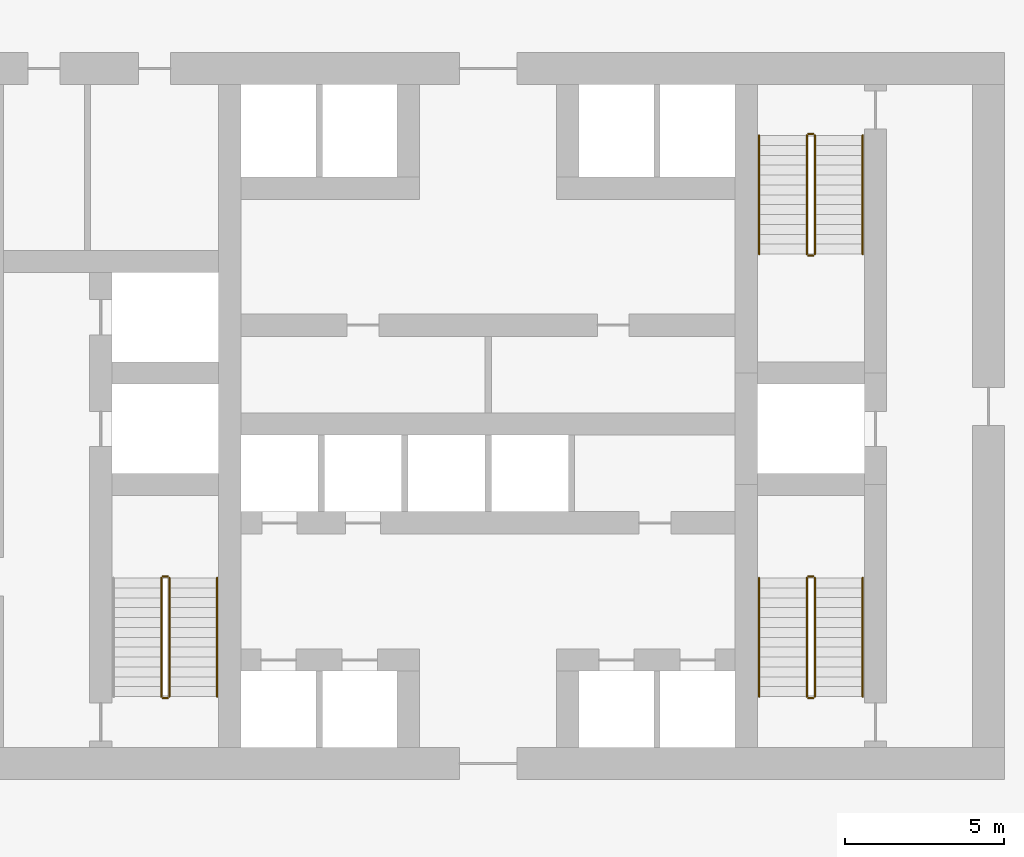
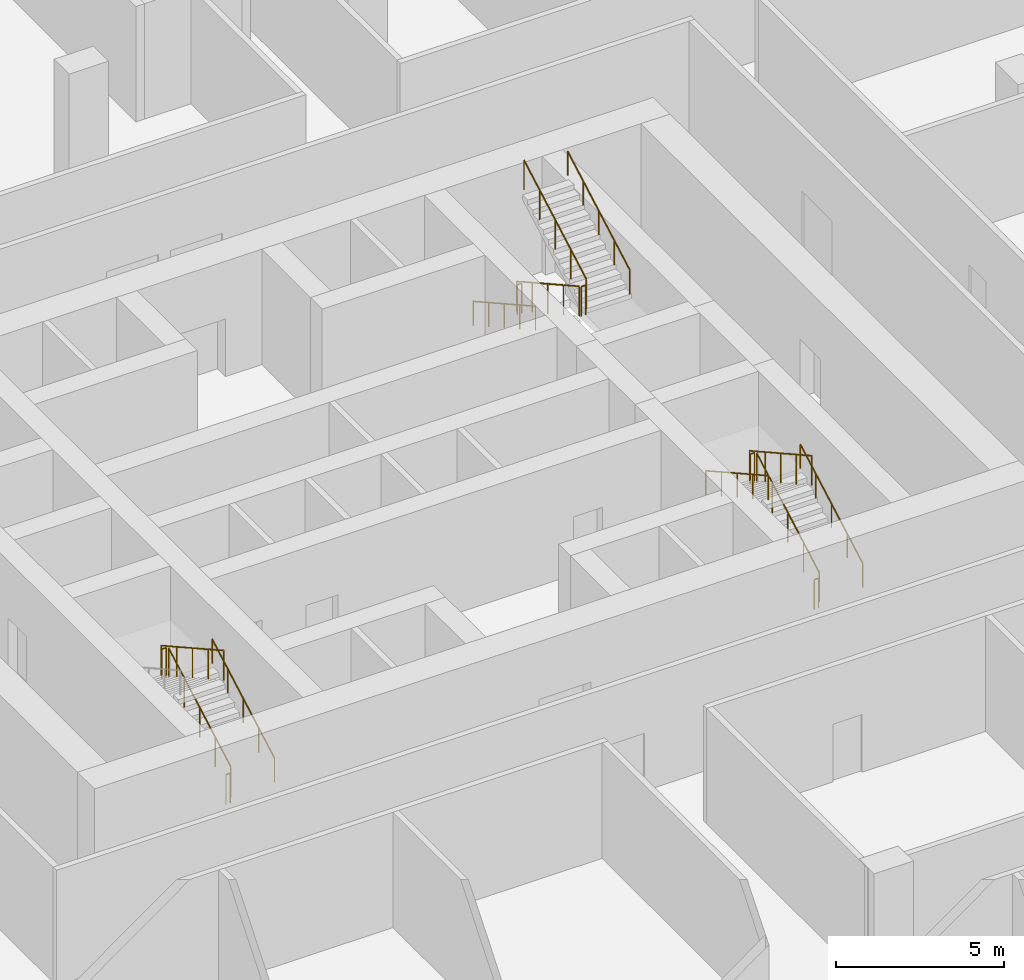
# One storey, part 35 of 38: 17 railings.
"""IFC4 building model written with IfcOpenShell, lengths in metres."""

import ifcopenshell
import ifcopenshell.guid

model = None  # the IFC model being written
_history = None  # IfcOwnerHistory: only IFC2X3 demands one
_inside = {}  # id of a spatial element -> (the spatial element, [elements in it])
_under = {}  # id of a project, library or spatial element -> (it, [spatial elements below it])
_declared = {}  # id of a project -> (the project, [libraries it declares])
_typed = {}  # id of a type object -> (the type object, [elements of that type])
_made_of = {}  # id of a material, layer set ... -> (it, [elements and type objects made of it])


def new_model(schema):
    """Start an empty IFC model of exactly this schema.

    Asked for "IFC4X3", IfcOpenShell would pick the latest addendum, in which some entities
    have other attributes; the version numbers below select the first issue.
    IFC2X3 requires an IfcOwnerHistory on every rooted entity: one is made here for all.
    """
    global model, _history
    if schema == "IFC4X3":
        model = ifcopenshell.file(schema_version=(4, 3, 0, 0))
    else:
        model = ifcopenshell.file(schema=schema)
    _inside.clear()
    _under.clear()
    _declared.clear()
    _typed.clear()
    _made_of.clear()
    _history = None
    if model.schema == "IFC2X3":
        org = make("IfcOrganization", Name="unknown")
        user = make(
            "IfcPersonAndOrganization",
            ThePerson=make("IfcPerson", FamilyName="unknown"),
            TheOrganization=org,
        )
        app = make(
            "IfcApplication",
            ApplicationDeveloper=org,
            Version="unknown",
            ApplicationFullName="unknown",
            ApplicationIdentifier="unknown",
        )
        _history = make(
            "IfcOwnerHistory",
            OwningUser=user,
            OwningApplication=app,
            ChangeAction="ADDED",
            CreationDate=0,
        )
    return model


def make(cls, **values):
    """One entity of the class cls with the attributes given. An attribute that is None is left unset."""
    return model.create_entity(
        cls, **{name: value for name, value in values.items() if value is not None}
    )


def rooted(cls, **values):
    """An entity with a GlobalId (a new one), such as an element, a storey or a relation."""
    return make(cls, GlobalId=ifcopenshell.guid.new(), OwnerHistory=_history, **values)


def si_unit(unit_type, name, prefix=None):
    """IfcSIUnit, for example si_unit("LENGTHUNIT", "METRE", prefix="MILLI")."""
    return make("IfcSIUnit", UnitType=unit_type, Prefix=prefix, Name=name)


def assignment(units):
    """IfcUnitAssignment: the units of a project."""
    return None if units is None else make("IfcUnitAssignment", Units=units)


def point(xyz):
    """IfcCartesianPoint."""
    return None if xyz is None else make("IfcCartesianPoint", Coordinates=xyz)


def direction(xyz):
    """IfcDirection."""
    return None if xyz is None else make("IfcDirection", DirectionRatios=xyz)


def frame(location, z_axis=None, x_axis=None):
    """IfcAxis2Placement3D, a coordinate frame: its origin and axes. An axis left out is left unset."""
    return make(
        "IfcAxis2Placement3D",
        Location=point(location),
        Axis=direction(z_axis),
        RefDirection=direction(x_axis),
    )


def frame_2d(location, x_axis=None):
    """IfcAxis2Placement2D, a coordinate frame in the plane: its origin and x axis."""
    return make(
        "IfcAxis2Placement2D", Location=point(location), RefDirection=direction(x_axis)
    )


def origin():
    """The frame at (0, 0, 0) with its axes left unset."""
    return frame((0.0, 0.0, 0.0))


def origin_2d():
    """The frame at (0, 0) in the plane with its x axis left unset."""
    return frame_2d((0.0, 0.0))


def place(relative_to, where):
    """IfcLocalPlacement: puts the frame where relative to a parent placement (None: the world)."""
    return make(
        "IfcLocalPlacement", PlacementRelTo=relative_to, RelativePlacement=where
    )


def context(
    kind, dimensions, precision=None, world=None, true_north=None, identifier=None
):
    """IfcGeometricRepresentationContext, for example the 3D "Model" context."""
    return make(
        "IfcGeometricRepresentationContext",
        ContextIdentifier=identifier,
        ContextType=kind,
        CoordinateSpaceDimension=dimensions,
        Precision=precision,
        WorldCoordinateSystem=world,
        TrueNorth=true_north,
    )


def subcontext(parent, identifier, kind, view, scale=None):
    """IfcGeometricRepresentationSubContext, for example "Body" below "Model"."""
    return make(
        "IfcGeometricRepresentationSubContext",
        ContextIdentifier=identifier,
        ContextType=kind,
        ParentContext=parent,
        TargetScale=scale,
        TargetView=view,
    )


def project(units=None, contexts=None):
    """IfcProject with its units and contexts."""
    return rooted(
        "IfcProject",
        Name="project",
        RepresentationContexts=contexts,
        UnitsInContext=assignment(units),
    )


def spatial(cls, under=None, at=None, **own):
    """A site, building, storey or space (cls), placed at a placement, below another one or the project."""
    s = rooted(cls, ObjectPlacement=at, **own)
    if under is not None:
        _under.setdefault(under.id(), (under, []))[1].append(s)
    return s


def profile(cls, at=None, kind="AREA", **sizes):
    """A parametric profile (cls). Its sizes go by their IFC names, for example OverallWidth=200.0."""
    return make(cls, ProfileType=kind, Position=at, **sizes)


def circle(**sizes):
    """IfcCircleProfileDef."""
    return profile("IfcCircleProfileDef", **sizes)


def extrude(swept, where, along, depth):
    """IfcExtrudedAreaSolid: the profile swept, set in the frame where, extruded along a direction by depth."""
    return make(
        "IfcExtrudedAreaSolid",
        SweptArea=swept,
        Position=where,
        ExtrudedDirection=direction(along),
        Depth=depth,
    )


def shape(context_of_items, identifier, shape_type, items):
    """IfcShapeRepresentation: the items that make up one representation, for example the "Body"."""
    return make(
        "IfcShapeRepresentation",
        ContextOfItems=context_of_items,
        RepresentationIdentifier=identifier,
        RepresentationType=shape_type,
        Items=items,
    )


def material(Name=None, Category=None):
    """IfcMaterial."""
    return make("IfcMaterial", Name=Name, Category=Category)


def made_of(thing, what):
    """Note that an element or type object is made of a material, layer set ...; save() writes the relation."""
    if what is not None:
        _made_of.setdefault(what.id(), (what, []))[1].append(thing)
    return thing


def type_object(cls, material=None, **own):
    """A type object (cls), such as IfcWallType, which elements share."""
    return made_of(rooted(cls, **own), material)


def element(
    cls,
    number,
    at=None,
    inside=None,
    cuts=None,
    type_object=None,
    material=None,
    context=None,
    identifier="Body",
    shape_type=None,
    held_by="IfcProductDefinitionShape",
    body=None,
    shapes=None,
    **own,
):
    """One element of the class cls, such as IfcWall. Its Tag is "e" and its number.

    at: its placement. inside: the storey or other place that contains it. cuts: it is an
    opening in that element (IfcRelVoidsElement). A single representation is given by context,
    identifier, shape_type and body (its items); several are given by shapes. held_by: the class
    of the entity that holds the representations. save() writes the other relations.
    """
    e = rooted(cls, Tag="e%d" % number, ObjectPlacement=at, **own)
    if body is not None:
        shapes = [shape(context, identifier, shape_type, body)]
    if shapes is not None:
        e.Representation = make(held_by, Representations=shapes)
    if inside is not None:
        _inside.setdefault(inside.id(), (inside, []))[1].append(e)
    if cuts is not None:
        rooted(
            "IfcRelVoidsElement", RelatingBuildingElement=cuts, RelatedOpeningElement=e
        )
    if type_object is not None:
        _typed.setdefault(type_object.id(), (type_object, []))[1].append(e)
    return made_of(e, material)


def aggregate(whole, parts):
    """IfcRelAggregates: a whole, such as a stair, and the parts it consists of."""
    return rooted("IfcRelAggregates", RelatingObject=whole, RelatedObjects=parts)


def save(model, path):
    """Write the relations noted so far, then the file.

    IfcRelAggregates (storeys below a building ...), IfcRelContainedInSpatialStructure (elements
    in a storey), IfcRelDefinesByType, IfcRelAssociatesMaterial and IfcRelDeclares: one each for
    every whole, place, type object, material and project.
    """
    for whole, parts in _under.values():
        aggregate(whole, parts)
    for where, things in _inside.values():
        rooted(
            "IfcRelContainedInSpatialStructure",
            RelatedElements=things,
            RelatingStructure=where,
        )
    for kind, things in _typed.values():
        rooted("IfcRelDefinesByType", RelatedObjects=things, RelatingType=kind)
    for what, things in _made_of.values():
        rooted("IfcRelAssociatesMaterial", RelatedObjects=things, RelatingMaterial=what)
    for by, libraries in _declared.values():
        rooted("IfcRelDeclares", RelatingContext=by, RelatedDefinitions=libraries)
    model.write(path)


model = new_model("IFC4")

# Units and contexts
model_context = context("Model", 3, precision=1e-05, world=origin(), true_north=direction((0.0, 1.0)))
body_context = subcontext(model_context, "Body", "Model", "MODEL_VIEW")
ifc_project = project(units=[si_unit("LENGTHUNIT", "METRE"), si_unit("AREAUNIT", "SQUARE_METRE"), si_unit("VOLUMEUNIT", "CUBIC_METRE"), si_unit("PLANEANGLEUNIT", "RADIAN"), si_unit("MASSUNIT", "GRAM", prefix="KILO")], contexts=[model_context])

# Site, building, storey
site_placement = place(None, origin())
site = spatial("IfcSite", under=ifc_project, at=site_placement, CompositionType="ELEMENT")
building_placement = place(site_placement, origin())
building = spatial("IfcBuilding", under=site, at=building_placement, Name="Madar Terraces", CompositionType="ELEMENT")
storey_placement = place(building_placement, frame((0.0, 0.0, 15.0)))
storey = spatial("IfcBuildingStorey", under=building, at=storey_placement, Name="L03", CompositionType="ELEMENT", Elevation=15.0)

# Railings
ifc_material_1 = material(Name="Stainless steel railing", Category="steel")
railing_type_1 = type_object("IfcRailingType", Name="Stair guard 1100", PredefinedType="GUARDRAIL", material=ifc_material_1)
railing_1_placement = place(storey_placement, frame((21.199951171875, 17.60009765625, 0.173095703125)))
element("IfcRailing", 1, at=railing_1_placement, inside=storey, type_object=railing_type_1, Name="L03 ST1 stair guard 1", PredefinedType="GUARDRAIL", context=body_context, shape_type="SweptSolid", body=[
    extrude(circle(Radius=0.02392578125, at=origin_2d()), frame((0.0, 0.0, 1.076171875), z_axis=(0.0, 0.873133609054, 0.487480974747), x_axis=(-1.0, 0.0, 0.0)), (0.0, 0.0, 1.0), 4.260498046875),
    extrude(circle(Radius=0.02099609375, at=origin_2d()), origin(), (0.0, 0.0, 1.0), 1.052001953125),
    extrude(circle(Radius=0.02099609375, at=origin_2d()), frame((0.0, 0.929931640625, 0.519287109375)), (0.0, 0.0, 1.0), 1.052001953125),
    extrude(circle(Radius=0.02099609375, at=origin_2d()), frame((0.0, 1.85986328125, 1.03857421875)), (0.0, 0.0, 1.0), 1.052001953125),
    extrude(circle(Radius=0.02099609375, at=origin_2d()), frame((0.0, 2.7900390625, 1.5576171875)), (0.0, 0.0, 1.0), 1.052001953125),
    extrude(circle(Radius=0.02099609375, at=origin_2d()), frame((0.0, 3.719970703125, 2.076904296875)), (0.0, 0.0, 1.0), 1.052001953125),
])
railing_2_placement = place(storey_placement, frame((21.14990234375, 21.3701171875, 2.25)))
element("IfcRailing", 2, at=railing_2_placement, inside=storey, type_object=railing_type_1, Name="L03 ST1 stair guard 2", PredefinedType="GUARDRAIL", context=body_context, shape_type="SweptSolid", body=[
    extrude(circle(Radius=0.02392578125, at=origin_2d()), frame((0.0, 0.0, 1.076171875), z_axis=(-1.0, 0.0, 0.0), x_axis=(0.0, -1.0, 0.0)), (0.0, 0.0, 1.0), 0.14990234375),
    extrude(circle(Radius=0.02099609375, at=origin_2d()), origin(), (0.0, 0.0, 1.0), 1.052001953125),
    extrude(circle(Radius=0.02099609375, at=origin_2d()), frame((-0.14990234375, 0.0, 0.0)), (0.0, 0.0, 1.0), 1.052001953125),
])
railing_3_placement = place(storey_placement, frame((20.949951171875, 21.320068359375, 2.423095703125)))
element("IfcRailing", 3, at=railing_3_placement, inside=storey, type_object=railing_type_1, Name="L03 ST1 stair guard 3", PredefinedType="GUARDRAIL", context=body_context, shape_type="SweptSolid", body=[
    extrude(circle(Radius=0.02392578125, at=origin_2d()), frame((0.0, 0.0, 1.076171875), z_axis=(0.0, -0.873133609054, 0.487480974747), x_axis=(1.0, 0.0, 0.0)), (0.0, 0.0, 1.0), 4.260498046875),
    extrude(circle(Radius=0.02099609375, at=origin_2d()), origin(), (0.0, 0.0, 1.0), 1.052001953125),
    extrude(circle(Radius=0.02099609375, at=origin_2d()), frame((0.0, -0.929931640625, 0.519287109375)), (0.0, 0.0, 1.0), 1.052001953125),
    extrude(circle(Radius=0.02099609375, at=origin_2d()), frame((0.0, -1.85986328125, 1.03857421875)), (0.0, 0.0, 1.0), 1.052001953125),
    extrude(circle(Radius=0.02099609375, at=origin_2d()), frame((0.0, -2.7900390625, 1.5576171875)), (0.0, 0.0, 1.0), 1.052001953125),
    extrude(circle(Radius=0.02099609375, at=origin_2d()), frame((0.0, -3.719970703125, 2.076904296875)), (0.0, 0.0, 1.0), 1.052001953125),
])
railing_4_placement = place(storey_placement, frame((21.14990234375, 17.550048828125, 0.0)))
element("IfcRailing", 4, at=railing_4_placement, inside=storey, type_object=railing_type_1, Name="L03 ST1 stair guard 4", PredefinedType="GUARDRAIL", context=body_context, shape_type="SweptSolid", body=[
    extrude(circle(Radius=0.02392578125, at=origin_2d()), frame((0.0, 0.0, 1.076171875), z_axis=(-1.0, 0.0, 0.0), x_axis=(0.0, -1.0, 0.0)), (0.0, 0.0, 1.0), 0.14990234375),
    extrude(circle(Radius=0.02099609375, at=origin_2d()), origin(), (0.0, 0.0, 1.0), 1.052001953125),
    extrude(circle(Radius=0.02099609375, at=origin_2d()), frame((-0.14990234375, 0.0, 0.0)), (0.0, 0.0, 1.0), 1.052001953125),
])
railing_5_placement = place(storey_placement, frame((41.199951171875, 35.199951171875, 0.173095703125)))
element("IfcRailing", 5, at=railing_5_placement, inside=storey, type_object=railing_type_1, Name="L03 ST2 stair guard 1", PredefinedType="GUARDRAIL", context=body_context, shape_type="SweptSolid", body=[
    extrude(circle(Radius=0.02392578125, at=origin_2d()), frame((0.0, 0.0, 1.076171875), z_axis=(0.0, -0.873133609054, 0.487480974747), x_axis=(1.0, 0.0, 0.0)), (0.0, 0.0, 1.0), 4.260498046875),
    extrude(circle(Radius=0.02099609375, at=origin_2d()), origin(), (0.0, 0.0, 1.0), 1.052001953125),
    extrude(circle(Radius=0.02099609375, at=origin_2d()), frame((0.0, -0.929931640625, 0.519287109375)), (0.0, 0.0, 1.0), 1.052001953125),
    extrude(circle(Radius=0.02099609375, at=origin_2d()), frame((0.0, -1.85986328125, 1.03857421875)), (0.0, 0.0, 1.0), 1.052001953125),
    extrude(circle(Radius=0.02099609375, at=origin_2d()), frame((0.0, -2.7900390625, 1.5576171875)), (0.0, 0.0, 1.0), 1.052001953125),
    extrude(circle(Radius=0.02099609375, at=origin_2d()), frame((0.0, -3.719970703125, 2.076904296875)), (0.0, 0.0, 1.0), 1.052001953125),
])
railing_6_placement = place(storey_placement, frame((41.25, 31.429931640625, 2.25)))
element("IfcRailing", 6, at=railing_6_placement, inside=storey, type_object=railing_type_1, Name="L03 ST2 stair guard 2", PredefinedType="GUARDRAIL", context=body_context, shape_type="SweptSolid", body=[
    extrude(circle(Radius=0.02392578125, at=origin_2d()), frame((0.0, 0.0, 1.076171875), z_axis=(1.0, 0.0, 0.0), x_axis=(0.0, 1.0, 0.0)), (0.0, 0.0, 1.0), 0.14990234375),
    extrude(circle(Radius=0.02099609375, at=origin_2d()), origin(), (0.0, 0.0, 1.0), 1.052001953125),
    extrude(circle(Radius=0.02099609375, at=origin_2d()), frame((0.14990234375, 0.0, 0.0)), (0.0, 0.0, 1.0), 1.052001953125),
])
railing_7_placement = place(storey_placement, frame((41.449951171875, 31.47998046875, 2.423095703125)))
element("IfcRailing", 7, at=railing_7_placement, inside=storey, type_object=railing_type_1, Name="L03 ST2 stair guard 3", PredefinedType="GUARDRAIL", context=body_context, shape_type="SweptSolid", body=[
    extrude(circle(Radius=0.02392578125, at=origin_2d()), frame((0.0, 0.0, 1.076171875), z_axis=(0.0, 0.873133609054, 0.487480974747), x_axis=(-1.0, 0.0, 0.0)), (0.0, 0.0, 1.0), 4.260498046875),
    extrude(circle(Radius=0.02099609375, at=origin_2d()), origin(), (0.0, 0.0, 1.0), 1.052001953125),
    extrude(circle(Radius=0.02099609375, at=origin_2d()), frame((0.0, 0.929931640625, 0.519287109375)), (0.0, 0.0, 1.0), 1.052001953125),
    extrude(circle(Radius=0.02099609375, at=origin_2d()), frame((0.0, 1.85986328125, 1.03857421875)), (0.0, 0.0, 1.0), 1.052001953125),
    extrude(circle(Radius=0.02099609375, at=origin_2d()), frame((0.0, 2.7900390625, 1.5576171875)), (0.0, 0.0, 1.0), 1.052001953125),
    extrude(circle(Radius=0.02099609375, at=origin_2d()), frame((0.0, 3.719970703125, 2.076904296875)), (0.0, 0.0, 1.0), 1.052001953125),
])
railing_8_placement = place(storey_placement, frame((41.25, 35.25, 0.0)))
element("IfcRailing", 8, at=railing_8_placement, inside=storey, type_object=railing_type_1, Name="L03 ST2 stair guard 4", PredefinedType="GUARDRAIL", context=body_context, shape_type="SweptSolid", body=[
    extrude(circle(Radius=0.02392578125, at=origin_2d()), frame((0.0, 0.0, 1.076171875), z_axis=(1.0, 0.0, 0.0), x_axis=(0.0, 1.0, 0.0)), (0.0, 0.0, 1.0), 0.14990234375),
    extrude(circle(Radius=0.02099609375, at=origin_2d()), origin(), (0.0, 0.0, 1.0), 1.052001953125),
    extrude(circle(Radius=0.02099609375, at=origin_2d()), frame((0.14990234375, 0.0, 0.0)), (0.0, 0.0, 1.0), 1.052001953125),
])
railing_9_placement = place(storey_placement, frame((41.449951171875, 17.60009765625, 0.173095703125)))
element("IfcRailing", 9, at=railing_9_placement, inside=storey, type_object=railing_type_1, Name="L03 ST3 stair guard 1", PredefinedType="GUARDRAIL", context=body_context, shape_type="SweptSolid", body=[
    extrude(circle(Radius=0.02392578125, at=origin_2d()), frame((0.0, 0.0, 1.076171875), z_axis=(0.0, 0.873133609054, 0.487480974747), x_axis=(-1.0, 0.0, 0.0)), (0.0, 0.0, 1.0), 4.260498046875),
    extrude(circle(Radius=0.02099609375, at=origin_2d()), origin(), (0.0, 0.0, 1.0), 1.052001953125),
    extrude(circle(Radius=0.02099609375, at=origin_2d()), frame((0.0, 0.929931640625, 0.519287109375)), (0.0, 0.0, 1.0), 1.052001953125),
    extrude(circle(Radius=0.02099609375, at=origin_2d()), frame((0.0, 1.85986328125, 1.03857421875)), (0.0, 0.0, 1.0), 1.052001953125),
    extrude(circle(Radius=0.02099609375, at=origin_2d()), frame((0.0, 2.7900390625, 1.5576171875)), (0.0, 0.0, 1.0), 1.052001953125),
    extrude(circle(Radius=0.02099609375, at=origin_2d()), frame((0.0, 3.719970703125, 2.076904296875)), (0.0, 0.0, 1.0), 1.052001953125),
])
railing_10_placement = place(storey_placement, frame((41.39990234375, 21.3701171875, 2.25)))
element("IfcRailing", 10, at=railing_10_placement, inside=storey, type_object=railing_type_1, Name="L03 ST3 stair guard 2", PredefinedType="GUARDRAIL", context=body_context, shape_type="SweptSolid", body=[
    extrude(circle(Radius=0.02392578125, at=origin_2d()), frame((0.0, 0.0, 1.076171875), z_axis=(-1.0, 0.0, 0.0), x_axis=(0.0, -1.0, 0.0)), (0.0, 0.0, 1.0), 0.14990234375),
    extrude(circle(Radius=0.02099609375, at=origin_2d()), origin(), (0.0, 0.0, 1.0), 1.052001953125),
    extrude(circle(Radius=0.02099609375, at=origin_2d()), frame((-0.14990234375, 0.0, 0.0)), (0.0, 0.0, 1.0), 1.052001953125),
])
railing_11_placement = place(storey_placement, frame((41.199951171875, 21.320068359375, 2.423095703125)))
element("IfcRailing", 11, at=railing_11_placement, inside=storey, type_object=railing_type_1, Name="L03 ST3 stair guard 3", PredefinedType="GUARDRAIL", context=body_context, shape_type="SweptSolid", body=[
    extrude(circle(Radius=0.02392578125, at=origin_2d()), frame((0.0, 0.0, 1.076171875), z_axis=(0.0, -0.873133609054, 0.487480974747), x_axis=(1.0, 0.0, 0.0)), (0.0, 0.0, 1.0), 4.260498046875),
    extrude(circle(Radius=0.02099609375, at=origin_2d()), origin(), (0.0, 0.0, 1.0), 1.052001953125),
    extrude(circle(Radius=0.02099609375, at=origin_2d()), frame((0.0, -0.929931640625, 0.519287109375)), (0.0, 0.0, 1.0), 1.052001953125),
    extrude(circle(Radius=0.02099609375, at=origin_2d()), frame((0.0, -1.85986328125, 1.03857421875)), (0.0, 0.0, 1.0), 1.052001953125),
    extrude(circle(Radius=0.02099609375, at=origin_2d()), frame((0.0, -2.7900390625, 1.5576171875)), (0.0, 0.0, 1.0), 1.052001953125),
    extrude(circle(Radius=0.02099609375, at=origin_2d()), frame((0.0, -3.719970703125, 2.076904296875)), (0.0, 0.0, 1.0), 1.052001953125),
])
railing_12_placement = place(storey_placement, frame((41.39990234375, 17.550048828125, 0.0)))
element("IfcRailing", 12, at=railing_12_placement, inside=storey, type_object=railing_type_1, Name="L03 ST3 stair guard 4", PredefinedType="GUARDRAIL", context=body_context, shape_type="SweptSolid", body=[
    extrude(circle(Radius=0.02392578125, at=origin_2d()), frame((0.0, 0.0, 1.076171875), z_axis=(-1.0, 0.0, 0.0), x_axis=(0.0, -1.0, 0.0)), (0.0, 0.0, 1.0), 0.14990234375),
    extrude(circle(Radius=0.02099609375, at=origin_2d()), origin(), (0.0, 0.0, 1.0), 1.052001953125),
    extrude(circle(Radius=0.02099609375, at=origin_2d()), frame((-0.14990234375, 0.0, 0.0)), (0.0, 0.0, 1.0), 1.052001953125),
])
ifc_material_2 = material(Name="Stainless steel railing", Category="steel")
railing_type_2 = type_object("IfcRailingType", Name="Stair handrail 900", PredefinedType="HANDRAIL", material=ifc_material_2)
railing_13_placement = place(storey_placement, frame((22.699951171875, 17.60009765625, 0.173095703125)))
element("IfcRailing", 13, at=railing_13_placement, inside=storey, type_object=railing_type_2, Name="L03 ST1 stair handrail 1", PredefinedType="HANDRAIL", context=body_context, shape_type="SweptSolid", body=[
    extrude(circle(Radius=0.02392578125, at=origin_2d()), frame((0.0, 0.0, 0.8759765625), z_axis=(0.0, 0.873133609054, 0.487480974747), x_axis=(-1.0, 0.0, 0.0)), (0.0, 0.0, 1.0), 4.260498046875),
    extrude(circle(Radius=0.02099609375, at=origin_2d()), origin(), (0.0, 0.0, 1.0), 0.851806640625),
    extrude(circle(Radius=0.02099609375, at=origin_2d()), frame((0.0, 0.929931640625, 0.519287109375)), (0.0, 0.0, 1.0), 0.851806640625),
    extrude(circle(Radius=0.02099609375, at=origin_2d()), frame((0.0, 1.85986328125, 1.03857421875)), (0.0, 0.0, 1.0), 0.851806640625),
    extrude(circle(Radius=0.02099609375, at=origin_2d()), frame((0.0, 2.7900390625, 1.5576171875)), (0.0, 0.0, 1.0), 0.851806640625),
    extrude(circle(Radius=0.02099609375, at=origin_2d()), frame((0.0, 3.719970703125, 2.076904296875)), (0.0, 0.0, 1.0), 0.851806640625),
])
railing_14_placement = place(storey_placement, frame((39.699951171875, 35.199951171875, 0.173095703125)))
element("IfcRailing", 14, at=railing_14_placement, inside=storey, type_object=railing_type_2, Name="L03 ST2 stair handrail 1", PredefinedType="HANDRAIL", context=body_context, shape_type="SweptSolid", body=[
    extrude(circle(Radius=0.02392578125, at=origin_2d()), frame((0.0, 0.0, 0.8759765625), z_axis=(0.0, -0.873133609054, 0.487480974747), x_axis=(1.0, 0.0, 0.0)), (0.0, 0.0, 1.0), 4.260498046875),
    extrude(circle(Radius=0.02099609375, at=origin_2d()), origin(), (0.0, 0.0, 1.0), 0.851806640625),
    extrude(circle(Radius=0.02099609375, at=origin_2d()), frame((0.0, -0.929931640625, 0.519287109375)), (0.0, 0.0, 1.0), 0.851806640625),
    extrude(circle(Radius=0.02099609375, at=origin_2d()), frame((0.0, -1.85986328125, 1.03857421875)), (0.0, 0.0, 1.0), 0.851806640625),
    extrude(circle(Radius=0.02099609375, at=origin_2d()), frame((0.0, -2.7900390625, 1.5576171875)), (0.0, 0.0, 1.0), 0.851806640625),
    extrude(circle(Radius=0.02099609375, at=origin_2d()), frame((0.0, -3.719970703125, 2.076904296875)), (0.0, 0.0, 1.0), 0.851806640625),
])
for number, where, name in (
    (15, (42.949951171875, 31.47998046875, 2.423095703125), "L03 ST2 stair handrail 2"),
    (16, (42.949951171875, 17.60009765625, 0.173095703125), "L03 ST3 stair handrail 1"),
):
    element("IfcRailing", number, at=place(storey_placement, frame(where)), inside=storey, type_object=railing_type_2, Name=name, PredefinedType="HANDRAIL", context=body_context, shape_type="SweptSolid", body=[
        extrude(circle(Radius=0.02392578125, at=origin_2d()), frame((0.0, 0.0, 0.8759765625), z_axis=(0.0, 0.873133609054, 0.487480974747), x_axis=(-1.0, 0.0, 0.0)), (0.0, 0.0, 1.0), 4.260498046875),
        extrude(circle(Radius=0.02099609375, at=origin_2d()), origin(), (0.0, 0.0, 1.0), 0.851806640625),
        extrude(circle(Radius=0.02099609375, at=origin_2d()), frame((0.0, 0.929931640625, 0.519287109375)), (0.0, 0.0, 1.0), 0.851806640625),
        extrude(circle(Radius=0.02099609375, at=origin_2d()), frame((0.0, 1.85986328125, 1.03857421875)), (0.0, 0.0, 1.0), 0.851806640625),
        extrude(circle(Radius=0.02099609375, at=origin_2d()), frame((0.0, 2.7900390625, 1.5576171875)), (0.0, 0.0, 1.0), 0.851806640625),
        extrude(circle(Radius=0.02099609375, at=origin_2d()), frame((0.0, 3.719970703125, 2.076904296875)), (0.0, 0.0, 1.0), 0.851806640625),
    ])
railing_15_placement = place(storey_placement, frame((39.699951171875, 21.320068359375, 2.423095703125)))
element("IfcRailing", 17, at=railing_15_placement, inside=storey, type_object=railing_type_2, Name="L03 ST3 stair handrail 2", PredefinedType="HANDRAIL", context=body_context, shape_type="SweptSolid", body=[
    extrude(circle(Radius=0.02392578125, at=origin_2d()), frame((0.0, 0.0, 0.8759765625), z_axis=(0.0, -0.873133609054, 0.487480974747), x_axis=(1.0, 0.0, 0.0)), (0.0, 0.0, 1.0), 4.260498046875),
    extrude(circle(Radius=0.02099609375, at=origin_2d()), origin(), (0.0, 0.0, 1.0), 0.851806640625),
    extrude(circle(Radius=0.02099609375, at=origin_2d()), frame((0.0, -0.929931640625, 0.519287109375)), (0.0, 0.0, 1.0), 0.851806640625),
    extrude(circle(Radius=0.02099609375, at=origin_2d()), frame((0.0, -1.85986328125, 1.03857421875)), (0.0, 0.0, 1.0), 0.851806640625),
    extrude(circle(Radius=0.02099609375, at=origin_2d()), frame((0.0, -2.7900390625, 1.5576171875)), (0.0, 0.0, 1.0), 0.851806640625),
    extrude(circle(Radius=0.02099609375, at=origin_2d()), frame((0.0, -3.719970703125, 2.076904296875)), (0.0, 0.0, 1.0), 0.851806640625),
])

save(model, "model.ifc")
